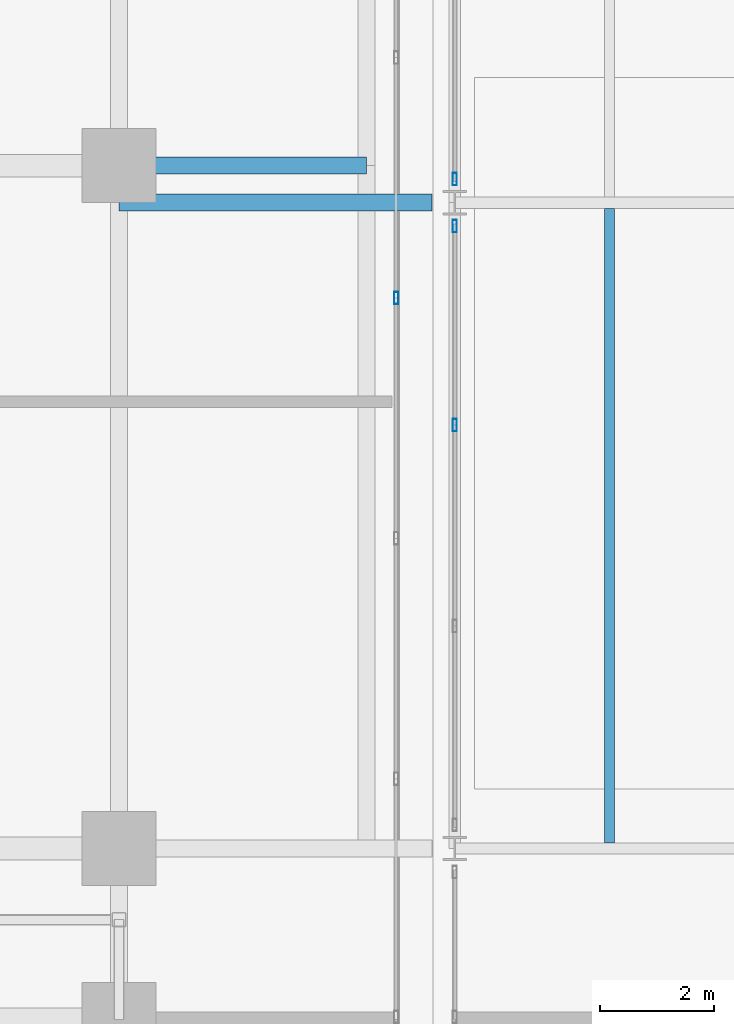
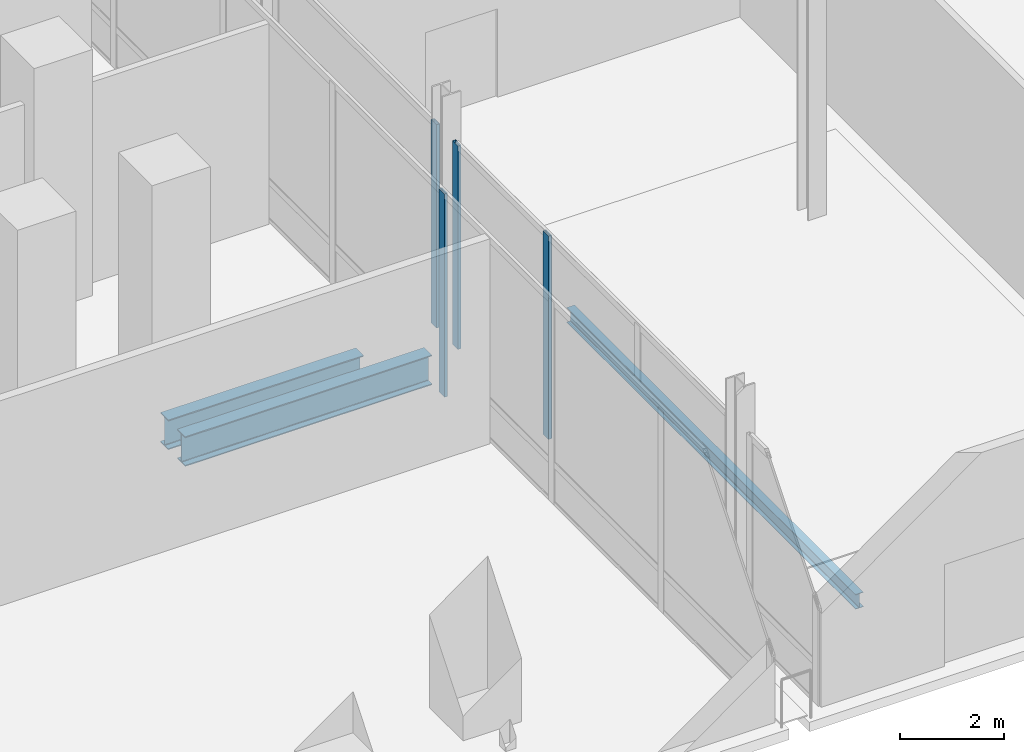
# One storey, part 9 of 36: 4 members, 3 beams, 3 elements without a shape of their own.
"""IFC4 building model written with IfcOpenShell, lengths in metres."""

from ifc_helpers import new_model, si_unit, direction, frame, origin, origin_2d, place, context, subcontext, project, spatial, hollow_rectangle, i_section, extrude, material, material_profile, profile_set, type_object, element, aggregate, save


model = new_model("IFC4")

# Units and contexts
model_context = context("Model", 3, precision=1e-05, world=origin(), true_north=direction((0.0, 1.0)))
body_context = subcontext(model_context, "Body", "Model", "MODEL_VIEW")
ifc_project = project(units=[si_unit("LENGTHUNIT", "METRE"), si_unit("AREAUNIT", "SQUARE_METRE"), si_unit("VOLUMEUNIT", "CUBIC_METRE"), si_unit("PLANEANGLEUNIT", "RADIAN"), si_unit("MASSUNIT", "GRAM", prefix="KILO")], contexts=[model_context])

# Site, building, storey
site_placement = place(None, origin())
site = spatial("IfcSite", under=ifc_project, at=site_placement, CompositionType="ELEMENT")
building_placement = place(site_placement, origin())
building = spatial("IfcBuilding", under=site, at=building_placement, Name="Noeulbin Bourse Tower", CompositionType="ELEMENT")
storey_placement = place(building_placement, origin())
storey = spatial("IfcBuildingStorey", under=building, at=storey_placement, Name="L01", CompositionType="ELEMENT", Elevation=0.0)

# Beams
ifc_material_1 = material(Name="Steel S355", Category="steel")
ifc_material_profile_1 = material_profile(ifc_material_1, i_section(OverallWidth=0.300048828125, OverallDepth=0.699951171875, WebThickness=0.012939453125, FlangeThickness=0.02392578125, FilletRadius=0.02392578125, at=origin_2d()), Name="H-700x300x13x24", Category="LoadBearing")
ifc_profile_set_1 = profile_set([ifc_material_profile_1], Name="Steel S355")
beam_type_1 = type_object("IfcBeamType", Name="BM-GRD-700", PredefinedType="USERDEFINED", material=ifc_profile_set_1)
beam_1_placement = place(storey_placement, frame((54.550048828125, 14.800048828125, -0.60009765625), z_axis=(1.0, 0.0, 0.0), x_axis=(0.0, 1.0, 0.0)))
element("IfcBeam", 1, at=beam_1_placement, inside=storey, type_object=beam_type_1, Name="Concourse Slot Girder L01-02", ObjectType="GIRDER", PredefinedType="USERDEFINED", context=body_context, shape_type="SweptSolid", body=[
    extrude(i_section(OverallWidth=0.300048828125, OverallDepth=0.699951171875, WebThickness=0.012939453125, FlangeThickness=0.02392578125, FilletRadius=0.02392578125, at=origin_2d()), origin(), (0.0, 0.0, 1.0), 5.5),
])
beam_2_placement = place(storey_placement, frame((54.550048828125, 15.449951171875, -0.60009765625), z_axis=(1.0, 0.0, 0.0), x_axis=(0.0, 1.0, 0.0)))
element("IfcBeam", 2, at=beam_2_placement, inside=storey, type_object=beam_type_1, Name="BM-L01-JNT-EW-2", ObjectType="GIRDER", PredefinedType="USERDEFINED", context=body_context, shape_type="SweptSolid", body=[
    extrude(i_section(OverallWidth=0.300048828125, OverallDepth=0.699951171875, WebThickness=0.012939453125, FlangeThickness=0.02392578125, FilletRadius=0.02392578125, at=origin_2d()), origin(), (0.0, 0.0, 1.0), 4.349853515625),
])
ifc_material_profile_2 = material_profile(ifc_material_1, i_section(OverallWidth=0.175048828125, OverallDepth=0.35009765625, WebThickness=0.007080078125, FlangeThickness=0.010986328125, FilletRadius=0.013916015625, at=origin_2d()), Name="H-350x175x7x11", Category="LoadBearing")
ifc_profile_set_2 = profile_set([ifc_material_profile_2], Name="Steel S355")
beam_type_2 = type_object("IfcBeamType", Name="BM-JST-350", PredefinedType="JOIST", material=ifc_profile_set_2)
beam_3_placement = place(storey_placement, frame((63.166748046875, 3.550048828125, -0.39501953125), z_axis=(0.0, 1.0, 0.0), x_axis=(-1.0, 0.0, 0.0)))
element("IfcBeam", 3, at=beam_3_placement, inside=storey, type_object=beam_type_2, Name="Market Hall Secondary Joist L01-01", PredefinedType="JOIST", context=body_context, shape_type="SweptSolid", body=[
    extrude(i_section(OverallWidth=0.175048828125, OverallDepth=0.35009765625, WebThickness=0.007080078125, FlangeThickness=0.010986328125, FilletRadius=0.013916015625, at=origin_2d()), origin(), (0.0, 0.0, 1.0), 11.14990234375),
])

# Curtain wall, member
ifc_material_2 = material(Name="Laminated Clear Low-E Glass", Category="glass")
curtain_wall_type = type_object("IfcCurtainWallType", Name="CW-SYS-1", PredefinedType="NOTDEFINED", material=ifc_material_2)
curtain_wall_1_placement = place(storey_placement, origin())
curtain_wall_1 = element("IfcCurtainWall", 4, at=curtain_wall_1_placement, inside=storey, type_object=curtain_wall_type, Name="Unitised Curtain Wall CW-L01-GAL-W", PredefinedType="NOTDEFINED")
ifc_material_3 = material(Name="Anodised Aluminium 6063-T6", Category="aluminium")
ifc_material_profile_3 = material_profile(ifc_material_3, hollow_rectangle(XDim=0.074951171875, YDim=0.219970703125, WallThickness=0.0048828125, InnerFilletRadius=0.00244140625, OuterFilletRadius=0.0048828125, at=origin_2d()), Name="ALU-MULL-75x220x5", Category="LoadBearing")
ifc_profile_set_3 = profile_set([ifc_material_profile_3], Name="Anodised Aluminium 6063-T6")
member_type = type_object("IfcMemberType", Name="CW-SYS-1-MUL", PredefinedType="MULLION", material=ifc_profile_set_3)
member_1_placement = place(storey_placement, frame((59.419921875, 13.125, -0.02001953125), z_axis=(0.0, 0.0, 1.0), x_axis=(1.0, 0.0, 0.0)))
member_1 = element("IfcMember", 5, at=member_1_placement, type_object=member_type, Name="Curtain Wall Mullion CW-L01-GAL-W-M03", PredefinedType="MULLION", context=body_context, shape_type="SweptSolid", body=[
    extrude(hollow_rectangle(XDim=0.074951171875, YDim=0.219970703125, WallThickness=0.0048828125, InnerFilletRadius=0.00244140625, OuterFilletRadius=0.0048828125, at=origin_2d()), origin(), (0.0, 0.0, 1.0), 4.7900390625),
])
aggregate(curtain_wall_1, [member_1])

# Curtain wall, members
curtain_wall_2_placement = place(storey_placement, origin())
curtain_wall_2 = element("IfcCurtainWall", 6, at=curtain_wall_2_placement, inside=storey, type_object=curtain_wall_type, Name="Unitised Curtain Wall CW-L01-GAL-E-S2", PredefinedType="NOTDEFINED")
member_2_placement = place(storey_placement, frame((60.449951171875, 10.89208984375, -0.02001953125), z_axis=(0.0, 0.0, 1.0), x_axis=(1.0, 0.0, 0.0)))
member_2 = element("IfcMember", 7, at=member_2_placement, type_object=member_type, Name="Curtain Wall Mullion CW-L01-GAL-E-S2-M02", PredefinedType="MULLION", context=body_context, shape_type="SweptSolid", body=[
    extrude(hollow_rectangle(XDim=0.074951171875, YDim=0.219970703125, WallThickness=0.0048828125, InnerFilletRadius=0.00244140625, OuterFilletRadius=0.0048828125, at=origin_2d()), origin(), (0.0, 0.0, 1.0), 4.7900390625),
])
member_3_placement = place(storey_placement, frame((60.449951171875, 14.385986328125, -0.02001953125), z_axis=(0.0, 0.0, 1.0), x_axis=(1.0, 0.0, 0.0)))
member_3 = element("IfcMember", 8, at=member_3_placement, type_object=member_type, Name="Curtain Wall Mullion CW-L01-GAL-E-S2-M03", PredefinedType="MULLION", context=body_context, shape_type="SweptSolid", body=[
    extrude(hollow_rectangle(XDim=0.074951171875, YDim=0.219970703125, WallThickness=0.0048828125, InnerFilletRadius=0.00244140625, OuterFilletRadius=0.0048828125, at=origin_2d()), origin(), (0.0, 0.0, 1.0), 4.7900390625),
])
aggregate(curtain_wall_2, [member_2, member_3])

# Curtain wall, member
curtain_wall_3_placement = place(storey_placement, origin())
curtain_wall_3 = element("IfcCurtainWall", 9, at=curtain_wall_3_placement, inside=storey, type_object=curtain_wall_type, Name="Unitised Curtain Wall CW-L01-GAL-E-S3", PredefinedType="NOTDEFINED")
member_4_placement = place(storey_placement, frame((60.449951171875, 15.214111328125, -0.02001953125), z_axis=(0.0, 0.0, 1.0), x_axis=(1.0, 0.0, 0.0)))
member_4 = element("IfcMember", 10, at=member_4_placement, type_object=member_type, Name="Curtain Wall Mullion CW-L01-GAL-E-S3-M00", PredefinedType="MULLION", context=body_context, shape_type="SweptSolid", body=[
    extrude(hollow_rectangle(XDim=0.074951171875, YDim=0.219970703125, WallThickness=0.0048828125, InnerFilletRadius=0.00244140625, OuterFilletRadius=0.0048828125, at=origin_2d()), origin(), (0.0, 0.0, 1.0), 4.7900390625),
])
aggregate(curtain_wall_3, [member_4])

save(model, "model.ifc")
